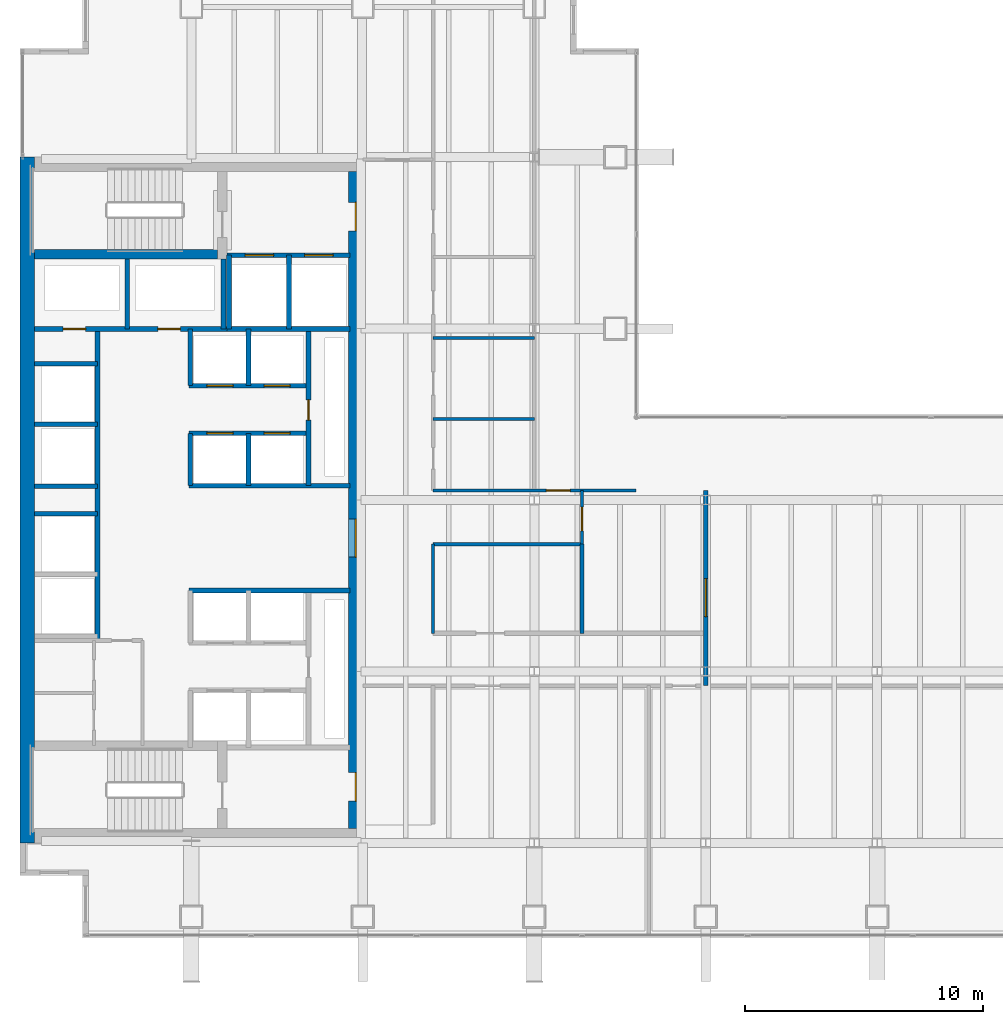
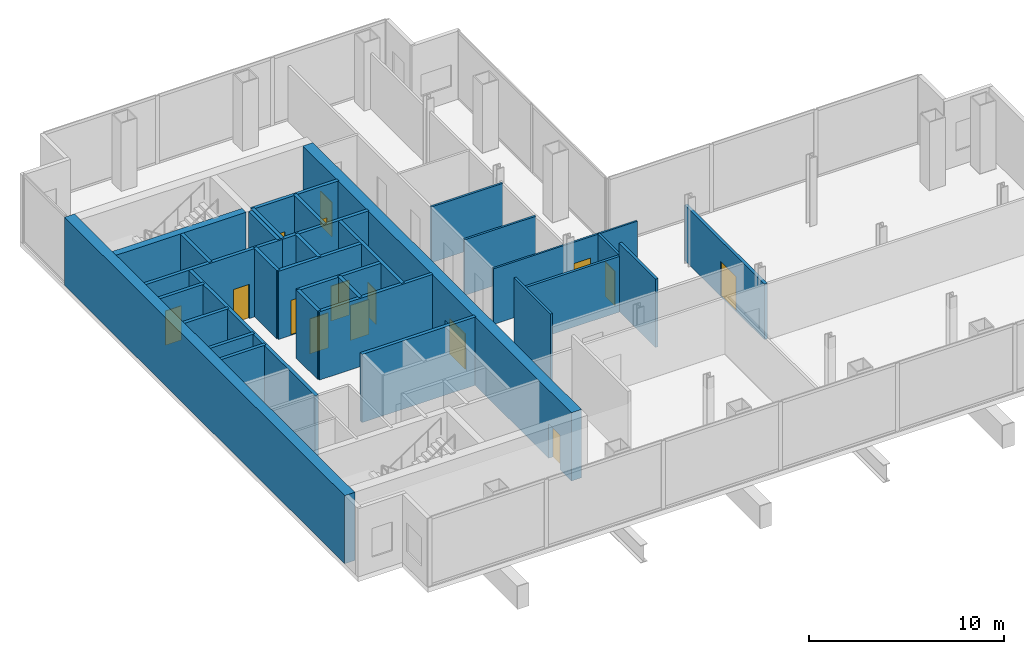
# One storey, part 14 of 16: 32 walls, 15 doors, 15 openings.
"""IFC4 building model written with IfcOpenShell, lengths in metres."""

from ifc_helpers import new_model, si_unit, direction, frame, frame_2d, origin, place, context, subcontext, project, spatial, rectangle, extrude, material, layer, layer_set, type_object, element, fill, save


model = new_model("IFC4")

# Units and contexts
model_context = context("Model", 3, precision=1e-05, world=origin(), true_north=direction((0.0, 1.0)))
body_context = subcontext(model_context, "Body", "Model", "MODEL_VIEW")
ifc_project = project(units=[si_unit("LENGTHUNIT", "METRE"), si_unit("AREAUNIT", "SQUARE_METRE"), si_unit("VOLUMEUNIT", "CUBIC_METRE"), si_unit("PLANEANGLEUNIT", "RADIAN"), si_unit("MASSUNIT", "GRAM", prefix="KILO")], contexts=[model_context])

# Site, building, storey
site_placement = place(None, origin())
site = spatial("IfcSite", under=ifc_project, at=site_placement, CompositionType="ELEMENT")
building_placement = place(site_placement, origin())
building = spatial("IfcBuilding", under=site, at=building_placement, Name="Cobrela Telecom Tower", CompositionType="ELEMENT")
storey_placement = place(building_placement, frame((0.0, 0.0, 97.64990234375)))
storey = spatial("IfcBuildingStorey", under=building, at=storey_placement, Name="L24", CompositionType="ELEMENT", Elevation=97.64990234375)

# Wall
ifc_material_1 = material(Name="Concrete C50/60", Category="concrete")
ifc_layer_1 = layer(ifc_material_1, 0.60009765625)
ifc_layer_set_1 = layer_set([ifc_layer_1], Name="Concrete C50/60")
wall_type_1 = type_object("IfcWallType", Name="WALL-CORE-C50-600", PredefinedType="SHEAR", material=ifc_layer_set_1)
wall_1_placement = place(storey_placement, frame((0.300048828125, 7.199951171875, 0.0), z_axis=(0.0, 0.0, 1.0), x_axis=(0.0, 1.0, 0.0)))
element("IfcWall", 1, at=wall_1_placement, inside=storey, type_object=wall_type_1, Name="L24 West Core Shear Wall", PredefinedType="SHEAR", context=body_context, shape_type="SweptSolid", body=[
    extrude(rectangle(XDim=28.800048828125, YDim=0.60009765625, at=frame_2d((14.39990234375, 0.0))), origin(), (0.0, 0.0, 1.0), 4.280029296875),
])

# Wall, openings, doors
wall_2_placement = place(storey_placement, frame((14.10009765625, 35.39990234375, 0.0), z_axis=(0.0, 0.0, 1.0), x_axis=(0.0, -1.0, 0.0)))
wall_2 = element("IfcWall", 2, at=wall_2_placement, inside=storey, type_object=wall_type_1, Name="L24 East Core Shear Wall", PredefinedType="SHEAR", context=body_context, shape_type="SweptSolid", body=[
    extrude(rectangle(XDim=27.599853515625, YDim=0.60009765625, at=frame_2d((13.7998046875, 0.0))), origin(), (0.0, 0.0, 1.0), 4.280029296875),
])
opening_1_placement = place(wall_2_placement, frame((1.300048828125, 0.0, 0.0)))
opening_1 = element("IfcOpeningElement", 3, at=opening_1_placement, cuts=wall_2, Name="Opening DR-19", PredefinedType="OPENING", context=body_context, shape_type="SweptSolid", body=[
    extrude(rectangle(XDim=1.199951171875, YDim=2.14990234375, at=frame_2d((0.60009765625, 1.074951171875))), frame((0.0, 0.31201171875, 0.0), z_axis=(0.0, -1.0, 0.0), x_axis=(1.0, 0.0, 0.0)), (0.0, 0.0, 1.0), 0.6240234375),
])
opening_2_placement = place(wall_2_placement, frame((25.25, 0.0, 0.0)))
opening_2 = element("IfcOpeningElement", 4, at=opening_2_placement, cuts=wall_2, Name="Opening DR-19", PredefinedType="OPENING", context=body_context, shape_type="SweptSolid", body=[
    extrude(rectangle(XDim=1.199951171875, YDim=2.14990234375, at=frame_2d((0.60009765625, 1.074951171875))), frame((0.0, 0.31201171875, 0.0), z_axis=(0.0, -1.0, 0.0), x_axis=(1.0, 0.0, 0.0)), (0.0, 0.0, 1.0), 0.6240234375),
])
opening_3_placement = place(wall_2_placement, frame((14.60009765625, 0.0, 0.0)))
opening_3 = element("IfcOpeningElement", 5, at=opening_3_placement, cuts=wall_2, Name="Opening DR-51", PredefinedType="OPENING", context=body_context, shape_type="SweptSolid", body=[
    extrude(rectangle(XDim=1.60009765625, YDim=2.199951171875, at=frame_2d((0.800048828125, 1.10009765625))), frame((0.0, 0.31201171875, 0.0), z_axis=(0.0, -1.0, 0.0), x_axis=(1.0, 0.0, 0.0)), (0.0, 0.0, 1.0), 0.6240234375),
])
ifc_material_2 = material(Name="Steel ASTM A36", Category="steel")
door_type_1 = type_object("IfcDoorType", Name="DOOR-FD60-1200", OperationType="SINGLE_SWING_LEFT", PredefinedType="DOOR", material=ifc_material_2)
door_1_placement = place(opening_1_placement, origin())
door_1 = element("IfcDoor", 6, at=door_1_placement, inside=storey, type_object=door_type_1, Name="L24 Door DR-19", OperationType="SINGLE_SWING_LEFT", OverallHeight=2.14990234375, OverallWidth=1.199951171875, PredefinedType="DOOR", context=body_context, shape_type="SweptSolid", body=[
    extrude(rectangle(XDim=1.199951171875, YDim=2.14990234375, at=frame_2d((0.60009765625, 1.074951171875))), frame((0.0, 0.02490234375, 0.0), z_axis=(0.0, -1.0, 0.0), x_axis=(1.0, 0.0, 0.0)), (0.0, 0.0, 1.0), 0.050048828125),
])
fill(opening_1, door_1)
door_2_placement = place(opening_2_placement, origin())
door_2 = element("IfcDoor", 7, at=door_2_placement, inside=storey, type_object=door_type_1, Name="L24 Door DR-19", OperationType="SINGLE_SWING_RIGHT", OverallHeight=2.14990234375, OverallWidth=1.199951171875, PredefinedType="DOOR", context=body_context, shape_type="SweptSolid", body=[
    extrude(rectangle(XDim=1.199951171875, YDim=2.14990234375, at=frame_2d((0.60009765625, 1.074951171875))), frame((0.0, 0.02490234375, 0.0), z_axis=(0.0, -1.0, 0.0), x_axis=(1.0, 0.0, 0.0)), (0.0, 0.0, 1.0), 0.050048828125),
])
fill(opening_2, door_2)
door_type_2 = type_object("IfcDoorType", Name="DOOR-FD60-1600", OperationType="SINGLE_SWING_LEFT", PredefinedType="DOOR", material=ifc_material_2)
door_3_placement = place(opening_3_placement, origin())
door_3 = element("IfcDoor", 8, at=door_3_placement, inside=storey, type_object=door_type_2, Name="L24 Door DR-51", OperationType="DOUBLE_DOOR_SINGLE_SWING", OverallHeight=2.199951171875, OverallWidth=1.60009765625, PredefinedType="DOOR", context=body_context, shape_type="SweptSolid", body=[
    extrude(rectangle(XDim=1.60009765625, YDim=2.199951171875, at=frame_2d((0.800048828125, 1.10009765625))), frame((0.0, 0.02490234375, 0.0), z_axis=(0.0, -1.0, 0.0), x_axis=(1.0, 0.0, 0.0)), (0.0, 0.0, 1.0), 0.050048828125),
])
fill(opening_3, door_3)

# Wall, opening, door
ifc_material_3 = material(Name="Fire-Rated Gypsum Plasterboard")
ifc_layer_2 = layer(ifc_material_3, 0.110107421875)
ifc_layer_set_2 = layer_set([ifc_layer_2], Name="Fire-Rated Gypsum Plasterboard")
wall_type_2 = type_object("IfcWallType", Name="WALL-PART-110", PredefinedType="PARTITIONING", material=ifc_layer_set_2)
wall_3_placement = place(storey_placement, frame((17.35009765625, 22.0, 0.0), z_axis=(0.0, 0.0, 1.0), x_axis=(1.0, 0.0, 0.0)))
wall_3 = element("IfcWall", 9, at=wall_3_placement, inside=storey, type_object=wall_type_2, Name="L24 Interior Partition W-SKY-H1", PredefinedType="PARTITIONING", context=body_context, shape_type="SweptSolid", body=[
    extrude(rectangle(XDim=8.52978515625, YDim=0.110107421875, at=frame_2d((4.264892578125, 0.0))), origin(), (0.0, 0.0, 1.0), 3.4931640625),
])
opening_4_placement = place(wall_3_placement, frame((4.760009765625, 0.0, 0.0)))
opening_4 = element("IfcOpeningElement", 10, at=opening_4_placement, cuts=wall_3, Name="Opening DR-31", PredefinedType="OPENING", context=body_context, shape_type="SweptSolid", body=[
    extrude(rectangle(XDim=1.0, YDim=2.14990234375, at=frame_2d((0.5, 1.074951171875))), frame((0.0, 0.06689453125, 0.0), z_axis=(0.0, -1.0, 0.0), x_axis=(1.0, 0.0, 0.0)), (0.0, 0.0, 1.0), 0.134033203125),
])
ifc_material_4 = material(Name="Solid Engineered Oak Timber", Category="wood")
door_type_3 = type_object("IfcDoorType", Name="DOOR-INT-1000", OperationType="SINGLE_SWING_LEFT", PredefinedType="DOOR", material=ifc_material_4)
door_4_placement = place(opening_4_placement, origin())
door_4 = element("IfcDoor", 11, at=door_4_placement, inside=storey, type_object=door_type_3, Name="L24 Door DR-31", OperationType="SINGLE_SWING_LEFT", OverallHeight=2.14990234375, OverallWidth=1.0, PredefinedType="DOOR", context=body_context, shape_type="SweptSolid", body=[
    extrude(rectangle(XDim=1.0, YDim=2.14990234375, at=frame_2d((0.5, 1.074951171875))), frame((0.0, 0.02490234375, 0.0), z_axis=(0.0, -1.0, 0.0), x_axis=(1.0, 0.0, 0.0)), (0.0, 0.0, 1.0), 0.050048828125),
])
fill(opening_4, door_4)

# Walls
ifc_layer_3 = layer(ifc_material_3, 0.125)
ifc_layer_set_3 = layer_set([ifc_layer_3], Name="Fire-Rated Gypsum Plasterboard")
wall_type_3 = type_object("IfcWallType", Name="WALL-PART-125", PredefinedType="PARTITIONING", material=ifc_layer_set_3)
for number, where, z_axis, x_axis, name in (
    (12, (17.35009765625, 25.0, 0.0), (0.0, 0.0, 1.0), (1.0, 0.0, 0.0), "L24 Interior Partition W-SKWC-1"),
    (13, (17.35009765625, 28.39990234375, 0.0), (0.0, 0.0, 1.0), (1.0, 0.0, 0.0), "L24 Interior Partition W-SKWC-2"),
):
    element("IfcWall", number, at=place(storey_placement, frame(where, z_axis=z_axis, x_axis=x_axis)), inside=storey, type_object=wall_type_3, Name=name, PredefinedType="PARTITIONING", context=body_context, shape_type="SweptSolid", body=[
        extrude(rectangle(XDim=4.25, YDim=0.125, at=frame_2d((2.125, 0.0))), origin(), (0.0, 0.0, 1.0), 3.4931640625),
    ])
ifc_layer_4 = layer(ifc_material_3, 0.135009765625)
ifc_layer_set_4 = layer_set([ifc_layer_4], Name="Fire-Rated Gypsum Plasterboard")
wall_type_4 = type_object("IfcWallType", Name="WALL-PART-135", PredefinedType="PARTITIONING", material=ifc_layer_set_4)
wall_4_placement = place(storey_placement, frame((17.35009765625, 16.0, 0.0), z_axis=(0.0, 0.0, 1.0), x_axis=(0.0, 1.0, 0.0)))
element("IfcWall", 14, at=wall_4_placement, inside=storey, type_object=wall_type_4, Name="L24 Interior Partition W-SKY-SALW", PredefinedType="PARTITIONING", context=body_context, shape_type="SweptSolid", body=[
    extrude(rectangle(XDim=3.75, YDim=0.135009765625, at=frame_2d((1.875, 0.0))), origin(), (0.0, 0.0, 1.0), 4.280029296875),
])

# Wall, opening, door
wall_5_placement = place(storey_placement, frame((23.60009765625, 19.75, 0.0), z_axis=(0.0, 0.0, 1.0), x_axis=(0.0, 1.0, 0.0)))
wall_5 = element("IfcWall", 15, at=wall_5_placement, inside=storey, type_object=wall_type_4, Name="L24 Interior Partition W-SKY-LOBW", PredefinedType="PARTITIONING", context=body_context, shape_type="SweptSolid", body=[
    extrude(rectangle(XDim=2.25, YDim=0.135009765625, at=frame_2d((1.125, 0.0))), origin(), (0.0, 0.0, 1.0), 3.4931640625),
])
opening_5_placement = place(wall_5_placement, frame((0.550048828125, 0.0, 0.0)))
opening_5 = element("IfcOpeningElement", 16, at=opening_5_placement, cuts=wall_5, Name="Opening DR-31", PredefinedType="OPENING", context=body_context, shape_type="SweptSolid", body=[
    extrude(rectangle(XDim=1.0, YDim=2.14990234375, at=frame_2d((0.5, 1.074951171875))), frame((0.0, 0.07958984375, 0.0), z_axis=(0.0, -1.0, 0.0), x_axis=(1.0, 0.0, 0.0)), (0.0, 0.0, 1.0), 0.158935546875),
])
door_5_placement = place(opening_5_placement, origin())
door_5 = element("IfcDoor", 17, at=door_5_placement, inside=storey, type_object=door_type_3, Name="L24 Door DR-31", OperationType="SINGLE_SWING_RIGHT", OverallHeight=2.14990234375, OverallWidth=1.0, PredefinedType="DOOR", context=body_context, shape_type="SweptSolid", body=[
    extrude(rectangle(XDim=1.0, YDim=2.14990234375, at=frame_2d((0.5, 1.074951171875))), frame((0.0, 0.02490234375, 0.0), z_axis=(0.0, -1.0, 0.0), x_axis=(1.0, 0.0, 0.0)), (0.0, 0.0, 1.0), 0.050048828125),
])
fill(opening_5, door_5)

# Walls
ifc_layer_5 = layer(ifc_material_3, 0.14990234375)
ifc_layer_set_5 = layer_set([ifc_layer_5], Name="Fire-Rated Gypsum Plasterboard")
wall_type_5 = type_object("IfcWallType", Name="WALL-PART-150", PredefinedType="PARTITIONING", material=ifc_layer_set_5)
wall_6_placement = place(storey_placement, frame((17.35009765625, 19.75, 0.0), z_axis=(0.0, 0.0, 1.0), x_axis=(1.0, 0.0, 0.0)))
element("IfcWall", 18, at=wall_6_placement, inside=storey, type_object=wall_type_5, Name="L24 Interior Partition W-SKY-LOBS", PredefinedType="PARTITIONING", context=body_context, shape_type="SweptSolid", body=[
    extrude(rectangle(XDim=6.25, YDim=0.14990234375, at=frame_2d((3.125, 0.0))), origin(), (0.0, 0.0, 1.0), 3.4931640625),
])
ifc_layer_6 = layer(ifc_material_3, 0.159912109375)
ifc_layer_set_6 = layer_set([ifc_layer_6], Name="Fire-Rated Gypsum Plasterboard")
wall_type_6 = type_object("IfcWallType", Name="WALL-PART-160", PredefinedType="PARTITIONING", material=ifc_layer_set_6)
wall_7_placement = place(storey_placement, frame((23.60009765625, 16.0, 0.0), z_axis=(0.0, 0.0, 1.0), x_axis=(0.0, 1.0, 0.0)))
element("IfcWall", 19, at=wall_7_placement, inside=storey, type_object=wall_type_6, Name="L24 Interior Partition W-SKY-SALE", PredefinedType="PARTITIONING", context=body_context, shape_type="SweptSolid", body=[
    extrude(rectangle(XDim=3.75, YDim=0.159912109375, at=frame_2d((1.875, 0.0))), origin(), (0.0, 0.0, 1.0), 4.280029296875),
])

# Wall, opening, door
ifc_layer_7 = layer(ifc_material_3, 0.175048828125)
ifc_layer_set_7 = layer_set([ifc_layer_7], Name="Fire-Rated Gypsum Plasterboard")
wall_type_7 = type_object("IfcWallType", Name="WALL-PART-175", PredefinedType="PARTITIONING", material=ifc_layer_set_7)
wall_8_placement = place(storey_placement, frame((28.800048828125, 13.800048828125, 0.0), z_axis=(0.0, 0.0, 1.0), x_axis=(0.0, 1.0, 0.0)))
wall_8 = element("IfcWall", 20, at=wall_8_placement, inside=storey, type_object=wall_type_7, Name="L24 Interior Partition W-SKY-V1", PredefinedType="PARTITIONING", context=body_context, shape_type="SweptSolid", body=[
    extrude(rectangle(XDim=8.199951171875, YDim=0.175048828125, at=frame_2d((4.10009765625, 0.0))), origin(), (0.0, 0.0, 1.0), 3.4931640625),
])
opening_6_placement = place(wall_8_placement, frame((2.89990234375, 0.0, 0.0)))
opening_6 = element("IfcOpeningElement", 21, at=opening_6_placement, cuts=wall_8, Name="Opening DR-21", PredefinedType="OPENING", context=body_context, shape_type="SweptSolid", body=[
    extrude(rectangle(XDim=1.60009765625, YDim=2.199951171875, at=frame_2d((0.800048828125, 1.10009765625))), frame((0.0, 0.099609375, 0.0), z_axis=(0.0, -1.0, 0.0), x_axis=(1.0, 0.0, 0.0)), (0.0, 0.0, 1.0), 0.198974609375),
])
ifc_material_5 = material(Name="Anodized Bronze Aluminium 6063-T6", Category="aluminium")
door_type_4 = type_object("IfcDoorType", Name="DOOR-INT-1600", OperationType="SINGLE_SWING_LEFT", PredefinedType="DOOR", material=ifc_material_5)
door_6_placement = place(opening_6_placement, origin())
door_6 = element("IfcDoor", 22, at=door_6_placement, inside=storey, type_object=door_type_4, Name="L24 Door DR-21", OperationType="DOUBLE_DOOR_SINGLE_SWING", OverallHeight=2.199951171875, OverallWidth=1.60009765625, PredefinedType="DOOR", context=body_context, shape_type="SweptSolid", body=[
    extrude(rectangle(XDim=1.60009765625, YDim=2.199951171875, at=frame_2d((0.800048828125, 1.10009765625))), frame((0.0, 0.02490234375, 0.0), z_axis=(0.0, -1.0, 0.0), x_axis=(1.0, 0.0, 0.0)), (0.0, 0.0, 1.0), 0.050048828125),
])
fill(opening_6, door_6)

# Wall, openings, doors
ifc_layer_8 = layer(ifc_material_3, 0.199951171875)
ifc_layer_set_8 = layer_set([ifc_layer_8], Name="Fire-Rated Gypsum Plasterboard")
wall_type_8 = type_object("IfcWallType", Name="WALL-SHAFT-200", PredefinedType="PARTITIONING", material=ifc_layer_set_8)
wall_9_placement = place(storey_placement, frame((8.699951171875, 31.8798828125, 0.0), z_axis=(0.0, 0.0, 1.0), x_axis=(1.0, 0.0, 0.0)))
wall_9 = element("IfcWall", 23, at=wall_9_placement, inside=storey, type_object=wall_type_8, Name="L24 Shaft Enclosure CW-FFL-S", PredefinedType="PARTITIONING", context=body_context, shape_type="SweptSolid", body=[
    extrude(rectangle(XDim=5.150146484375, YDim=0.199951171875, at=frame_2d((2.5751953125, 0.0))), origin(), (0.0, 0.0, 1.0), 4.280029296875),
])
opening_7_placement = place(wall_9_placement, frame((0.75, 0.0, 0.0)))
opening_7 = element("IfcOpeningElement", 24, at=opening_7_placement, cuts=wall_9, Name="Opening LD-2", PredefinedType="OPENING", context=body_context, shape_type="SweptSolid", body=[
    extrude(rectangle(XDim=1.199951171875, YDim=2.199951171875, at=frame_2d((0.60009765625, 1.10009765625))), frame((0.0, 0.11181640625, 0.0), z_axis=(0.0, -1.0, 0.0), x_axis=(1.0, 0.0, 0.0)), (0.0, 0.0, 1.0), 0.223876953125),
])
opening_8_placement = place(wall_9_placement, frame((3.25, 0.0, 0.0)))
opening_8 = element("IfcOpeningElement", 25, at=opening_8_placement, cuts=wall_9, Name="Opening LD-2", PredefinedType="OPENING", context=body_context, shape_type="SweptSolid", body=[
    extrude(rectangle(XDim=1.199951171875, YDim=2.199951171875, at=frame_2d((0.60009765625, 1.10009765625))), frame((0.0, 0.11181640625, 0.0), z_axis=(0.0, -1.0, 0.0), x_axis=(1.0, 0.0, 0.0)), (0.0, 0.0, 1.0), 0.223876953125),
])
door_type_5 = type_object("IfcDoorType", Name="DOOR-LD-FFL", OperationType="SINGLE_SWING_LEFT", PredefinedType="DOOR", material=ifc_material_2)
door_7_placement = place(opening_7_placement, origin())
door_7 = element("IfcDoor", 26, at=door_7_placement, inside=storey, type_object=door_type_5, Name="L24 Lift Landing Door LD-2", OperationType="DOUBLE_DOOR_SLIDING", OverallHeight=2.199951171875, OverallWidth=1.199951171875, PredefinedType="DOOR", context=body_context, shape_type="SweptSolid", body=[
    extrude(rectangle(XDim=1.199951171875, YDim=2.199951171875, at=frame_2d((0.60009765625, 1.10009765625))), frame((0.0, 0.02490234375, 0.0), z_axis=(0.0, -1.0, 0.0), x_axis=(1.0, 0.0, 0.0)), (0.0, 0.0, 1.0), 0.050048828125),
])
fill(opening_7, door_7)
door_8_placement = place(opening_8_placement, origin())
door_8 = element("IfcDoor", 27, at=door_8_placement, inside=storey, type_object=door_type_5, Name="L24 Lift Landing Door LD-2", OperationType="DOUBLE_DOOR_SLIDING", OverallHeight=2.199951171875, OverallWidth=1.199951171875, PredefinedType="DOOR", context=body_context, shape_type="SweptSolid", body=[
    extrude(rectangle(XDim=1.199951171875, YDim=2.199951171875, at=frame_2d((0.60009765625, 1.10009765625))), frame((0.0, 0.02490234375, 0.0), z_axis=(0.0, -1.0, 0.0), x_axis=(1.0, 0.0, 0.0)), (0.0, 0.0, 1.0), 0.050048828125),
])
fill(opening_8, door_8)

# Walls
wall_10_placement = place(storey_placement, frame((8.699951171875, 28.780029296875, 0.0), z_axis=(0.0, 0.0, 1.0), x_axis=(1.0, 0.0, 0.0)))
element("IfcWall", 28, at=wall_10_placement, inside=storey, type_object=wall_type_8, Name="L24 Shaft Enclosure CW-FFL-S2", PredefinedType="PARTITIONING", context=body_context, shape_type="SweptSolid", body=[
    extrude(rectangle(XDim=5.150146484375, YDim=0.199951171875, at=frame_2d((2.5751953125, 0.0))), origin(), (0.0, 0.0, 1.0), 4.280029296875),
])
for number, where, z_axis, x_axis, name in (
    (29, (8.780029296875, 28.780029296875, 0.0), (0.0, 0.0, 1.0), (0.0, 1.0, 0.0), "L24 Shaft Enclosure CW-FFL-W"),
    (30, (11.300048828125, 28.780029296875, 0.0), (0.0, 0.0, 1.0), (0.0, 1.0, 0.0), "L24 Shaft Enclosure CW-FFL-M"),
):
    element("IfcWall", number, at=place(storey_placement, frame(where, z_axis=z_axis, x_axis=x_axis)), inside=storey, type_object=wall_type_8, Name=name, PredefinedType="PARTITIONING", context=body_context, shape_type="SweptSolid", body=[
        extrude(rectangle(XDim=3.099853515625, YDim=0.199951171875, at=frame_2d((1.5498046875, 0.0))), origin(), (0.0, 0.0, 1.0), 4.280029296875),
    ])

# Wall, openings, doors
wall_11_placement = place(storey_placement, frame((0.60009765625, 28.780029296875, 0.0), z_axis=(0.0, 0.0, 1.0), x_axis=(1.0, 0.0, 0.0)))
wall_11 = element("IfcWall", 31, at=wall_11_placement, inside=storey, type_object=wall_type_8, Name="L24 Shaft Enclosure CW-RIS-S", PredefinedType="PARTITIONING", context=body_context, shape_type="SweptSolid", body=[
    extrude(rectangle(XDim=8.179931640625, YDim=0.199951171875, at=frame_2d((4.08984375, 0.0))), origin(), (0.0, 0.0, 1.0), 4.280029296875),
])
opening_9_placement = place(wall_11_placement, frame((1.2099609375, 0.0, 0.0)))
opening_9 = element("IfcOpeningElement", 32, at=opening_9_placement, cuts=wall_11, Name="Opening DR-65", PredefinedType="OPENING", context=body_context, shape_type="SweptSolid", body=[
    extrude(rectangle(XDim=0.949951171875, YDim=2.14990234375, at=frame_2d((0.47509765625, 1.074951171875))), frame((0.0, 0.11181640625, 0.0), z_axis=(0.0, -1.0, 0.0), x_axis=(1.0, 0.0, 0.0)), (0.0, 0.0, 1.0), 0.223876953125),
])
opening_10_placement = place(wall_11_placement, frame((5.18994140625, 0.0, 0.0)))
opening_10 = element("IfcOpeningElement", 33, at=opening_10_placement, cuts=wall_11, Name="Opening DR-65", PredefinedType="OPENING", context=body_context, shape_type="SweptSolid", body=[
    extrude(rectangle(XDim=0.949951171875, YDim=2.14990234375, at=frame_2d((0.47509765625, 1.074951171875))), frame((0.0, 0.11181640625, 0.0), z_axis=(0.0, -1.0, 0.0), x_axis=(1.0, 0.0, 0.0)), (0.0, 0.0, 1.0), 0.223876953125),
])
door_type_6 = type_object("IfcDoorType", Name="DOOR-FD60-950", OperationType="SINGLE_SWING_LEFT", PredefinedType="DOOR", material=ifc_material_2)
door_9_placement = place(opening_9_placement, origin())
door_9 = element("IfcDoor", 34, at=door_9_placement, inside=storey, type_object=door_type_6, Name="L24 Door DR-65", OperationType="SINGLE_SWING_LEFT", OverallHeight=2.14990234375, OverallWidth=0.949951171875, PredefinedType="DOOR", context=body_context, shape_type="SweptSolid", body=[
    extrude(rectangle(XDim=0.949951171875, YDim=2.14990234375, at=frame_2d((0.47509765625, 1.074951171875))), frame((0.0, 0.02490234375, 0.0), z_axis=(0.0, -1.0, 0.0), x_axis=(1.0, 0.0, 0.0)), (0.0, 0.0, 1.0), 0.050048828125),
])
fill(opening_9, door_9)
door_10_placement = place(opening_10_placement, origin())
door_10 = element("IfcDoor", 35, at=door_10_placement, inside=storey, type_object=door_type_6, Name="L24 Door DR-65", OperationType="SINGLE_SWING_RIGHT", OverallHeight=2.14990234375, OverallWidth=0.949951171875, PredefinedType="DOOR", context=body_context, shape_type="SweptSolid", body=[
    extrude(rectangle(XDim=0.949951171875, YDim=2.14990234375, at=frame_2d((0.47509765625, 1.074951171875))), frame((0.0, 0.02490234375, 0.0), z_axis=(0.0, -1.0, 0.0), x_axis=(1.0, 0.0, 0.0)), (0.0, 0.0, 1.0), 0.050048828125),
])
fill(opening_10, door_10)

# Walls
for number, where, z_axis, x_axis, name in (
    (36, (4.5, 28.780029296875, 0.0), (0.0, 0.0, 1.0), (0.0, 1.0, 0.0), "L24 Shaft Enclosure CW-RIS-M"),
    (37, (8.550048828125, 28.780029296875, 0.0), (0.0, 0.0, 1.0), (0.0, 1.0, 0.0), "L24 Shaft Enclosure CW-RIS-E"),
):
    element("IfcWall", number, at=place(storey_placement, frame(where, z_axis=z_axis, x_axis=x_axis)), inside=storey, type_object=wall_type_8, Name=name, PredefinedType="PARTITIONING", context=body_context, shape_type="SweptSolid", body=[
        extrude(rectangle(XDim=2.93994140625, YDim=0.199951171875, at=frame_2d((1.469970703125, 0.0))), origin(), (0.0, 0.0, 1.0), 4.280029296875),
    ])
wall_12_placement = place(storey_placement, frame((3.25, 15.699951171875, 0.0), z_axis=(0.0, 0.0, 1.0), x_axis=(0.0, 1.0, 0.0)))
element("IfcWall", 38, at=wall_12_placement, inside=storey, type_object=wall_type_8, Name="L24 Shaft Enclosure CW-PLH-E", PredefinedType="PARTITIONING", context=body_context, shape_type="SweptSolid", body=[
    extrude(rectangle(XDim=13.080078125, YDim=0.199951171875, at=frame_2d((6.5400390625, 0.0))), origin(), (0.0, 0.0, 1.0), 4.280029296875),
])
for number, where, z_axis, x_axis, name in (
    (39, (0.60009765625, 22.179931640625, 0.0), (0.0, 0.0, 1.0), (1.0, 0.0, 0.0), "L24 Shaft Enclosure CW-PLH-D11"),
    (40, (0.60009765625, 24.780029296875, 0.0), (0.0, 0.0, 1.0), (1.0, 0.0, 0.0), "L24 Shaft Enclosure CW-PLH-D12"),
    (41, (0.60009765625, 21.02001953125, 0.0), (0.0, 0.0, 1.0), (1.0, 0.0, 0.0), "L24 Shaft Enclosure CW-PLH-MID"),
    (42, (0.60009765625, 27.320068359375, 0.0), (0.0, 0.0, 1.0), (1.0, 0.0, 0.0), "L24 Shaft Enclosure CW-PLH-TOP"),
):
    element("IfcWall", number, at=place(storey_placement, frame(where, z_axis=z_axis, x_axis=x_axis)), inside=storey, type_object=wall_type_8, Name=name, PredefinedType="PARTITIONING", context=body_context, shape_type="SweptSolid", body=[
        extrude(rectangle(XDim=2.64990234375, YDim=0.199951171875, at=frame_2d((1.324951171875, 0.0))), origin(), (0.0, 0.0, 1.0), 4.280029296875),
    ])
wall_13_placement = place(storey_placement, frame((7.10009765625, 22.199951171875, 0.0), z_axis=(0.0, 0.0, 1.0), x_axis=(1.0, 0.0, 0.0)))
element("IfcWall", 43, at=wall_13_placement, inside=storey, type_object=wall_type_8, Name="L24 Shaft Enclosure CW-PLL-B0", PredefinedType="PARTITIONING", context=body_context, shape_type="SweptSolid", body=[
    extrude(rectangle(XDim=6.75, YDim=0.199951171875, at=frame_2d((3.375, 0.0))), origin(), (0.0, 0.0, 1.0), 4.280029296875),
])

# Wall, openings, doors
wall_14_placement = place(storey_placement, frame((7.10009765625, 24.39990234375, 0.0), z_axis=(0.0, 0.0, 1.0), x_axis=(1.0, 0.0, 0.0)))
wall_14 = element("IfcWall", 44, at=wall_14_placement, inside=storey, type_object=wall_type_8, Name="L24 Shaft Enclosure CW-PLL-S", PredefinedType="PARTITIONING", context=body_context, shape_type="SweptSolid", body=[
    extrude(rectangle(XDim=5.02001953125, YDim=0.199951171875, at=frame_2d((2.510009765625, 0.0))), origin(), (0.0, 0.0, 1.0), 4.280029296875),
])
opening_11_placement = place(wall_14_placement, frame((0.75, 0.0, 0.0)))
opening_11 = element("IfcOpeningElement", 45, at=opening_11_placement, cuts=wall_14, Name="Opening LD-1", PredefinedType="OPENING", context=body_context, shape_type="SweptSolid", body=[
    extrude(rectangle(XDim=1.10009765625, YDim=2.199951171875, at=frame_2d((0.550048828125, 1.10009765625))), frame((0.0, 0.11181640625, 0.0), z_axis=(0.0, -1.0, 0.0), x_axis=(1.0, 0.0, 0.0)), (0.0, 0.0, 1.0), 0.223876953125),
])
opening_12_placement = place(wall_14_placement, frame((3.14990234375, 0.0, 0.0)))
opening_12 = element("IfcOpeningElement", 46, at=opening_12_placement, cuts=wall_14, Name="Opening LD-1", PredefinedType="OPENING", context=body_context, shape_type="SweptSolid", body=[
    extrude(rectangle(XDim=1.10009765625, YDim=2.199951171875, at=frame_2d((0.550048828125, 1.10009765625))), frame((0.0, 0.11181640625, 0.0), z_axis=(0.0, -1.0, 0.0), x_axis=(1.0, 0.0, 0.0)), (0.0, 0.0, 1.0), 0.223876953125),
])
door_type_7 = type_object("IfcDoorType", Name="DOOR-LD-PL", OperationType="SINGLE_SWING_LEFT", PredefinedType="DOOR", material=ifc_material_2)
door_11_placement = place(opening_11_placement, origin())
door_11 = element("IfcDoor", 47, at=door_11_placement, inside=storey, type_object=door_type_7, Name="L24 Lift Landing Door LD-1", OperationType="DOUBLE_DOOR_SLIDING", OverallHeight=2.199951171875, OverallWidth=1.10009765625, PredefinedType="DOOR", context=body_context, shape_type="SweptSolid", body=[
    extrude(rectangle(XDim=1.10009765625, YDim=2.199951171875, at=frame_2d((0.550048828125, 1.10009765625))), frame((0.0, 0.02490234375, 0.0), z_axis=(0.0, -1.0, 0.0), x_axis=(1.0, 0.0, 0.0)), (0.0, 0.0, 1.0), 0.050048828125),
])
fill(opening_11, door_11)
door_12_placement = place(opening_12_placement, origin())
door_12 = element("IfcDoor", 48, at=door_12_placement, inside=storey, type_object=door_type_7, Name="L24 Lift Landing Door LD-1", OperationType="DOUBLE_DOOR_SLIDING", OverallHeight=2.199951171875, OverallWidth=1.10009765625, PredefinedType="DOOR", context=body_context, shape_type="SweptSolid", body=[
    extrude(rectangle(XDim=1.10009765625, YDim=2.199951171875, at=frame_2d((0.550048828125, 1.10009765625))), frame((0.0, 0.02490234375, 0.0), z_axis=(0.0, -1.0, 0.0), x_axis=(1.0, 0.0, 0.0)), (0.0, 0.0, 1.0), 0.050048828125),
])
fill(opening_12, door_12)

wall_15_placement = place(storey_placement, frame((7.10009765625, 26.39990234375, 0.0), z_axis=(0.0, 0.0, 1.0), x_axis=(1.0, 0.0, 0.0)))
wall_15 = element("IfcWall", 49, at=wall_15_placement, inside=storey, type_object=wall_type_8, Name="L24 Shaft Enclosure CW-PLL-N", PredefinedType="PARTITIONING", context=body_context, shape_type="SweptSolid", body=[
    extrude(rectangle(XDim=5.02001953125, YDim=0.199951171875, at=frame_2d((2.510009765625, 0.0))), origin(), (0.0, 0.0, 1.0), 4.280029296875),
])
opening_13_placement = place(wall_15_placement, frame((0.75, 0.0, 0.0)))
opening_13 = element("IfcOpeningElement", 50, at=opening_13_placement, cuts=wall_15, Name="Opening LD-1", PredefinedType="OPENING", context=body_context, shape_type="SweptSolid", body=[
    extrude(rectangle(XDim=1.10009765625, YDim=2.199951171875, at=frame_2d((0.550048828125, 1.10009765625))), frame((0.0, 0.11181640625, 0.0), z_axis=(0.0, -1.0, 0.0), x_axis=(1.0, 0.0, 0.0)), (0.0, 0.0, 1.0), 0.223876953125),
])
opening_14_placement = place(wall_15_placement, frame((3.14990234375, 0.0, 0.0)))
opening_14 = element("IfcOpeningElement", 51, at=opening_14_placement, cuts=wall_15, Name="Opening LD-1", PredefinedType="OPENING", context=body_context, shape_type="SweptSolid", body=[
    extrude(rectangle(XDim=1.10009765625, YDim=2.199951171875, at=frame_2d((0.550048828125, 1.10009765625))), frame((0.0, 0.11181640625, 0.0), z_axis=(0.0, -1.0, 0.0), x_axis=(1.0, 0.0, 0.0)), (0.0, 0.0, 1.0), 0.223876953125),
])
door_13_placement = place(opening_13_placement, origin())
door_13 = element("IfcDoor", 52, at=door_13_placement, inside=storey, type_object=door_type_7, Name="L24 Lift Landing Door LD-1", OperationType="DOUBLE_DOOR_SLIDING", OverallHeight=2.199951171875, OverallWidth=1.10009765625, PredefinedType="DOOR", context=body_context, shape_type="SweptSolid", body=[
    extrude(rectangle(XDim=1.10009765625, YDim=2.199951171875, at=frame_2d((0.550048828125, 1.10009765625))), frame((0.0, 0.02490234375, 0.0), z_axis=(0.0, -1.0, 0.0), x_axis=(1.0, 0.0, 0.0)), (0.0, 0.0, 1.0), 0.050048828125),
])
fill(opening_13, door_13)
door_14_placement = place(opening_14_placement, origin())
door_14 = element("IfcDoor", 53, at=door_14_placement, inside=storey, type_object=door_type_7, Name="L24 Lift Landing Door LD-1", OperationType="DOUBLE_DOOR_SLIDING", OverallHeight=2.199951171875, OverallWidth=1.10009765625, PredefinedType="DOOR", context=body_context, shape_type="SweptSolid", body=[
    extrude(rectangle(XDim=1.10009765625, YDim=2.199951171875, at=frame_2d((0.550048828125, 1.10009765625))), frame((0.0, 0.02490234375, 0.0), z_axis=(0.0, -1.0, 0.0), x_axis=(1.0, 0.0, 0.0)), (0.0, 0.0, 1.0), 0.050048828125),
])
fill(opening_14, door_14)

# Walls
wall_16_placement = place(storey_placement, frame((7.14990234375, 22.199951171875, 0.0), z_axis=(0.0, 0.0, 1.0), x_axis=(0.0, 1.0, 0.0)))
element("IfcWall", 54, at=wall_16_placement, inside=storey, type_object=wall_type_8, Name="L24 Shaft Enclosure CW-PLL-V1", PredefinedType="PARTITIONING", context=body_context, shape_type="SweptSolid", body=[
    extrude(rectangle(XDim=2.199951171875, YDim=0.199951171875, at=frame_2d((1.10009765625, 0.0))), origin(), (0.0, 0.0, 1.0), 4.280029296875),
])
wall_17_placement = place(storey_placement, frame((7.14990234375, 26.39990234375, 0.0), z_axis=(0.0, 0.0, 1.0), x_axis=(0.0, 1.0, 0.0)))
element("IfcWall", 55, at=wall_17_placement, inside=storey, type_object=wall_type_8, Name="L24 Shaft Enclosure CW-PLL-V1B", PredefinedType="PARTITIONING", context=body_context, shape_type="SweptSolid", body=[
    extrude(rectangle(XDim=2.380126953125, YDim=0.199951171875, at=frame_2d((1.18994140625, 0.0))), origin(), (0.0, 0.0, 1.0), 4.280029296875),
])
wall_18_placement = place(storey_placement, frame((9.60009765625, 22.199951171875, 0.0), z_axis=(0.0, 0.0, 1.0), x_axis=(0.0, 1.0, 0.0)))
element("IfcWall", 56, at=wall_18_placement, inside=storey, type_object=wall_type_8, Name="L24 Shaft Enclosure CW-PLL-V2", PredefinedType="PARTITIONING", context=body_context, shape_type="SweptSolid", body=[
    extrude(rectangle(XDim=2.199951171875, YDim=0.199951171875, at=frame_2d((1.10009765625, 0.0))), origin(), (0.0, 0.0, 1.0), 4.280029296875),
])
wall_19_placement = place(storey_placement, frame((9.60009765625, 26.39990234375, 0.0), z_axis=(0.0, 0.0, 1.0), x_axis=(0.0, 1.0, 0.0)))
element("IfcWall", 57, at=wall_19_placement, inside=storey, type_object=wall_type_8, Name="L24 Shaft Enclosure CW-PLL-V2B", PredefinedType="PARTITIONING", context=body_context, shape_type="SweptSolid", body=[
    extrude(rectangle(XDim=2.380126953125, YDim=0.199951171875, at=frame_2d((1.18994140625, 0.0))), origin(), (0.0, 0.0, 1.0), 4.280029296875),
])

# Wall, opening, door
wall_20_placement = place(storey_placement, frame((12.1201171875, 22.199951171875, 0.0), z_axis=(0.0, 0.0, 1.0), x_axis=(0.0, 1.0, 0.0)))
wall_20 = element("IfcWall", 58, at=wall_20_placement, inside=storey, type_object=wall_type_8, Name="L24 Shaft Enclosure CW-PLL-V3", PredefinedType="PARTITIONING", context=body_context, shape_type="SweptSolid", body=[
    extrude(rectangle(XDim=6.580078125, YDim=0.199951171875, at=frame_2d((3.2900390625, 0.0))), origin(), (0.0, 0.0, 1.0), 4.280029296875),
])
opening_15_placement = place(wall_20_placement, frame((2.75, 0.0, 0.0)))
opening_15 = element("IfcOpeningElement", 59, at=opening_15_placement, cuts=wall_20, Name="Opening DR-11", PredefinedType="OPENING", context=body_context, shape_type="SweptSolid", body=[
    extrude(rectangle(XDim=0.85009765625, YDim=2.14990234375, at=frame_2d((0.425048828125, 1.074951171875))), frame((0.0, 0.11181640625, 0.0), z_axis=(0.0, -1.0, 0.0), x_axis=(1.0, 0.0, 0.0)), (0.0, 0.0, 1.0), 0.223876953125),
])
door_type_8 = type_object("IfcDoorType", Name="DOOR-INT-850", OperationType="SINGLE_SWING_LEFT", PredefinedType="DOOR", material=ifc_material_4)
door_15_placement = place(opening_15_placement, origin())
door_15 = element("IfcDoor", 60, at=door_15_placement, inside=storey, type_object=door_type_8, Name="L24 Door DR-11", OperationType="SINGLE_SWING_LEFT", OverallHeight=2.14990234375, OverallWidth=0.85009765625, PredefinedType="DOOR", context=body_context, shape_type="SweptSolid", body=[
    extrude(rectangle(XDim=0.85009765625, YDim=2.14990234375, at=frame_2d((0.425048828125, 1.074951171875))), frame((0.0, 0.02490234375, 0.0), z_axis=(0.0, -1.0, 0.0), x_axis=(1.0, 0.0, 0.0)), (0.0, 0.0, 1.0), 0.050048828125),
])
fill(opening_15, door_15)

# Walls
wall_21_placement = place(storey_placement, frame((7.10009765625, 17.800048828125, 0.0), z_axis=(0.0, 0.0, 1.0), x_axis=(1.0, 0.0, 0.0)))
element("IfcWall", 61, at=wall_21_placement, inside=storey, type_object=wall_type_8, Name="L24 Shaft Enclosure CW-PLM-T0", PredefinedType="PARTITIONING", context=body_context, shape_type="SweptSolid", body=[
    extrude(rectangle(XDim=6.75, YDim=0.199951171875, at=frame_2d((3.375, 0.0))), origin(), (0.0, 0.0, 1.0), 4.280029296875),
])
ifc_material_6 = material(Name="Concrete C40/50", Category="concrete")
ifc_layer_9 = layer(ifc_material_6, 0.39990234375)
ifc_layer_set_9 = layer_set([ifc_layer_9], Name="Concrete C40/50")
wall_type_9 = type_object("IfcWallType", Name="WALL-SHAFT-C40-400", PredefinedType="SHEAR", material=ifc_layer_set_9)
wall_22_placement = place(storey_placement, frame((0.60009765625, 31.919921875, 0.0), z_axis=(0.0, 0.0, 1.0), x_axis=(1.0, 0.0, 0.0)))
element("IfcWall", 62, at=wall_22_placement, inside=storey, type_object=wall_type_9, Name="L24 North Stair Shear Wall", PredefinedType="SHEAR", context=body_context, shape_type="SweptSolid", body=[
    extrude(rectangle(XDim=7.699951171875, YDim=0.39990234375, at=frame_2d((3.85009765625, 0.0))), origin(), (0.0, 0.0, 1.0), 4.280029296875),
])

save(model, "model.ifc")
